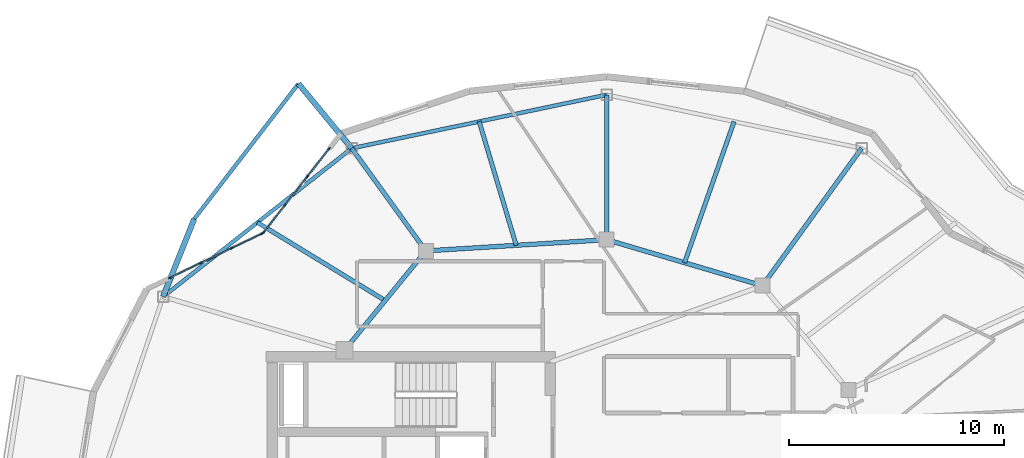
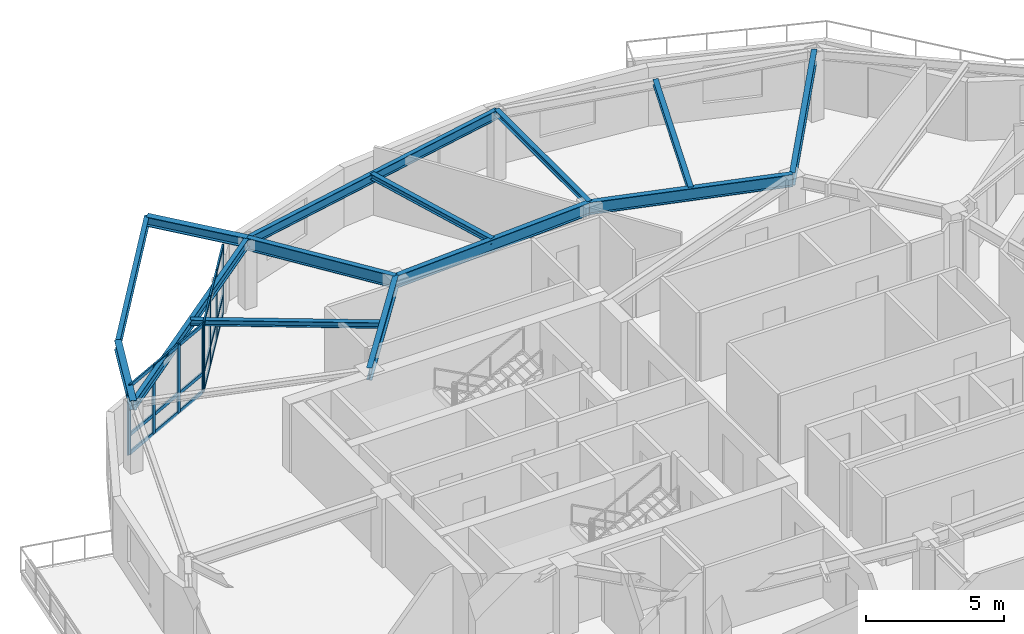
# One storey, part 5 of 16: 26 members, 14 beams, 2 elements without a shape of their own.
"""IFC4 building model written with IfcOpenShell, lengths in metres."""

from ifc_helpers import new_model, si_unit, direction, frame, origin, origin_2d, place, context, subcontext, project, spatial, rectangle, i_section, extrude, material, layer, layer_set, material_profile, profile_set, type_object, element, aggregate, save


model = new_model("IFC4")

# Units and contexts
model_context = context("Model", 3, precision=1e-05, world=origin(), true_north=direction((0.0, 1.0)))
body_context = subcontext(model_context, "Body", "Model", "MODEL_VIEW")
ifc_project = project(units=[si_unit("LENGTHUNIT", "METRE"), si_unit("AREAUNIT", "SQUARE_METRE"), si_unit("VOLUMEUNIT", "CUBIC_METRE"), si_unit("PLANEANGLEUNIT", "RADIAN"), si_unit("MASSUNIT", "GRAM", prefix="KILO")], contexts=[model_context])

# Site, building, storey
site_placement = place(None, origin())
site = spatial("IfcSite", under=ifc_project, at=site_placement, CompositionType="ELEMENT")
building_placement = place(site_placement, origin())
building = spatial("IfcBuilding", under=site, at=building_placement, Name="Kolvaren Gate Tower and Convention Centre", CompositionType="ELEMENT")
storey_placement = place(building_placement, frame((0.0, 0.0, 219.5)))
storey = spatial("IfcBuildingStorey", under=building, at=storey_placement, Name="L58", CompositionType="ELEMENT", Elevation=219.5)

# Curtain wall, members
ifc_material_1 = material(Name="Anodized Architectural Aluminium Alloy 6063-T6", Category="aluminium")
ifc_layer = layer(ifc_material_1, 0.159912109375)
ifc_layer_set = layer_set([ifc_layer], Name="Anodized Architectural Aluminium Alloy 6063-T6")
curtain_wall_type = type_object("IfcCurtainWallType", Name="CW-RES-UNIT", PredefinedType="NOTDEFINED", material=ifc_layer_set)
curtain_wall_1_placement = place(storey_placement, origin())
curtain_wall_1 = element("IfcCurtainWall", 1, at=curtain_wall_1_placement, inside=storey, type_object=curtain_wall_type, Name="Tower L58 Unitised Curtain Wall CW-RES-UNIT Bay 08", PredefinedType="NOTDEFINED")
ifc_material_profile_1 = material_profile(ifc_material_1, rectangle(XDim=0.06494140625, YDim=0.159912109375, at=origin_2d()), Name="CW-MEM-MUL-160")
ifc_profile_set_1 = profile_set([ifc_material_profile_1], Name="Anodized Architectural Aluminium Alloy 6063-T6")
member_type_1 = type_object("IfcMemberType", Name="CW-MEM-MUL-160", PredefinedType="MULLION", material=ifc_profile_set_1)
member_1_placement = place(storey_placement, frame((14.137451171875, 39.532958984375, 0.0), z_axis=(0.0, 0.0, 1.0), x_axis=(-0.787409932974, 0.616429718179, 0.0)))
member_1 = element("IfcMember", 2, at=member_1_placement, type_object=member_type_1, Name="CW-04 mullion 1", PredefinedType="MULLION", context=body_context, shape_type="SweptSolid", body=[
    extrude(rectangle(XDim=0.06494140625, YDim=0.159912109375, at=origin_2d()), origin(), (0.0, 0.0, 1.0), 3.030029296875),
])
member_2_placement = place(storey_placement, frame((15.1484375, 40.82421875, 0.0), z_axis=(0.0, 0.0, 1.0), x_axis=(-0.787409932974, 0.616429718179, 0.0)))
member_2 = element("IfcMember", 3, at=member_2_placement, type_object=member_type_1, Name="CW-04 mullion 2", PredefinedType="MULLION", context=body_context, shape_type="SweptSolid", body=[
    extrude(rectangle(XDim=0.06494140625, YDim=0.159912109375, at=origin_2d()), origin(), (0.0, 0.0, 1.0), 3.030029296875),
])
member_3_placement = place(storey_placement, frame((16.17919921875, 42.140869140625, 0.0), z_axis=(0.0, 0.0, 1.0), x_axis=(-0.787409932974, 0.616429718179, 0.0)))
member_3 = element("IfcMember", 4, at=member_3_placement, type_object=member_type_1, Name="CW-04 mullion 3", PredefinedType="MULLION", context=body_context, shape_type="SweptSolid", body=[
    extrude(rectangle(XDim=0.06494140625, YDim=0.159912109375, at=origin_2d()), origin(), (0.0, 0.0, 1.0), 3.030029296875),
])
member_4_placement = place(storey_placement, frame((17.190185546875, 43.43212890625, 0.0), z_axis=(0.0, 0.0, 1.0), x_axis=(-0.787409932974, 0.616429718179, 0.0)))
member_4 = element("IfcMember", 5, at=member_4_placement, type_object=member_type_1, Name="CW-04 mullion 4", PredefinedType="MULLION", context=body_context, shape_type="SweptSolid", body=[
    extrude(rectangle(XDim=0.06494140625, YDim=0.159912109375, at=origin_2d()), origin(), (0.0, 0.0, 1.0), 3.030029296875),
])

curtain_wall_2_placement = place(storey_placement, origin())
curtain_wall_2 = element("IfcCurtainWall", 6, at=curtain_wall_2_placement, inside=storey, type_object=curtain_wall_type, Name="Tower L58 Unitised Curtain Wall CW-RES-UNIT Bay 09", PredefinedType="NOTDEFINED")
member_5_placement = place(storey_placement, frame((9.78466796875, 37.425537109375, 0.0), z_axis=(0.0, 0.0, 1.0), x_axis=(-0.433065576861, 0.901362416644, 0.0)))
member_5 = element("IfcMember", 7, at=member_5_placement, type_object=member_type_1, Name="CW-04 mullion 1", PredefinedType="MULLION", context=body_context, shape_type="SweptSolid", body=[
    extrude(rectangle(XDim=0.06494140625, YDim=0.159912109375, at=origin_2d()), origin(), (0.0, 0.0, 1.0), 3.030029296875),
])
member_6_placement = place(storey_placement, frame((11.20947265625, 38.110107421875, 0.0), z_axis=(0.0, 0.0, 1.0), x_axis=(-0.433065576861, 0.901362416644, 0.0)))
member_6 = element("IfcMember", 8, at=member_6_placement, type_object=member_type_1, Name="CW-04 mullion 2", PredefinedType="MULLION", context=body_context, shape_type="SweptSolid", body=[
    extrude(rectangle(XDim=0.06494140625, YDim=0.159912109375, at=origin_2d()), origin(), (0.0, 0.0, 1.0), 3.030029296875),
])
member_7_placement = place(storey_placement, frame((12.66357421875, 38.80859375, 0.0), z_axis=(0.0, 0.0, 1.0), x_axis=(-0.433065576861, 0.901362416644, 0.0)))
member_7 = element("IfcMember", 9, at=member_7_placement, type_object=member_type_1, Name="CW-04 mullion 3", PredefinedType="MULLION", context=body_context, shape_type="SweptSolid", body=[
    extrude(rectangle(XDim=0.06494140625, YDim=0.159912109375, at=origin_2d()), origin(), (0.0, 0.0, 1.0), 3.030029296875),
])
member_8_placement = place(storey_placement, frame((14.088134765625, 39.4931640625, 0.0), z_axis=(0.0, 0.0, 1.0), x_axis=(-0.433065576861, 0.901362416644, 0.0)))
member_8 = element("IfcMember", 10, at=member_8_placement, type_object=member_type_1, Name="CW-04 mullion 4", PredefinedType="MULLION", context=body_context, shape_type="SweptSolid", body=[
    extrude(rectangle(XDim=0.06494140625, YDim=0.159912109375, at=origin_2d()), origin(), (0.0, 0.0, 1.0), 3.030029296875),
])

# Member
ifc_material_profile_2 = material_profile(ifc_material_1, rectangle(XDim=0.06494140625, YDim=0.159912109375, at=origin_2d()), Name="CW-MEM-TRN-160")
ifc_profile_set_2 = profile_set([ifc_material_profile_2], Name="Anodized Architectural Aluminium Alloy 6063-T6")
member_type_2 = type_object("IfcMemberType", Name="CW-MEM-TRN-160", PredefinedType="USERDEFINED", material=ifc_profile_set_2)
member_9_placement = place(storey_placement, frame((14.157470703125, 39.55859375, 0.032470703125), z_axis=(0.616513055725, 0.787344684443, 0.0), x_axis=(-0.787344684443, 0.616513055725, 0.0)))
member_9 = element("IfcMember", 11, at=member_9_placement, type_object=member_type_2, Name="CW-04 transom 1.1", ObjectType="TRANSOM", PredefinedType="USERDEFINED", context=body_context, shape_type="SweptSolid", body=[
    extrude(rectangle(XDim=0.06494140625, YDim=0.159912109375, at=origin_2d()), origin(), (0.0, 0.0, 1.0), 1.574951171875),
])

member_10_placement = place(storey_placement, frame((14.157470703125, 39.55859375, 0.85009765625), z_axis=(0.616513055725, 0.787344684443, 0.0), x_axis=(-0.787344684443, 0.616513055725, 0.0)))
member_10 = element("IfcMember", 12, at=member_10_placement, type_object=member_type_2, Name="CW-04 transom 1.2", ObjectType="TRANSOM", PredefinedType="USERDEFINED", context=body_context, shape_type="SweptSolid", body=[
    extrude(rectangle(XDim=0.06494140625, YDim=0.159912109375, at=origin_2d()), origin(), (0.0, 0.0, 1.0), 1.574951171875),
])

member_11_placement = place(storey_placement, frame((14.157470703125, 39.55859375, 2.99755859375), z_axis=(0.616513055725, 0.787344684443, 0.0), x_axis=(-0.787344684443, 0.616513055725, 0.0)))
member_11 = element("IfcMember", 13, at=member_11_placement, type_object=member_type_2, Name="CW-04 transom 1.3", ObjectType="TRANSOM", PredefinedType="USERDEFINED", context=body_context, shape_type="SweptSolid", body=[
    extrude(rectangle(XDim=0.06494140625, YDim=0.159912109375, at=origin_2d()), origin(), (0.0, 0.0, 1.0), 1.574951171875),
])

member_12_placement = place(storey_placement, frame((15.16845703125, 40.849609375, 0.032470703125), z_axis=(0.616398363045, 0.787434478567, 0.0), x_axis=(-0.787434478567, 0.616398363045, 0.0)))
member_12 = element("IfcMember", 14, at=member_12_placement, type_object=member_type_2, Name="CW-04 transom 2.1", ObjectType="TRANSOM", PredefinedType="USERDEFINED", context=body_context, shape_type="SweptSolid", body=[
    extrude(rectangle(XDim=0.06494140625, YDim=0.159912109375, at=origin_2d()), origin(), (0.0, 0.0, 1.0), 1.607177734375),
])

member_13_placement = place(storey_placement, frame((15.16845703125, 40.849609375, 0.85009765625), z_axis=(0.616398363045, 0.787434478567, 0.0), x_axis=(-0.787434478567, 0.616398363045, 0.0)))
member_13 = element("IfcMember", 15, at=member_13_placement, type_object=member_type_2, Name="CW-04 transom 2.2", ObjectType="TRANSOM", PredefinedType="USERDEFINED", context=body_context, shape_type="SweptSolid", body=[
    extrude(rectangle(XDim=0.06494140625, YDim=0.159912109375, at=origin_2d()), origin(), (0.0, 0.0, 1.0), 1.607177734375),
])

member_14_placement = place(storey_placement, frame((15.16845703125, 40.849609375, 2.99755859375), z_axis=(0.616398363045, 0.787434478567, 0.0), x_axis=(-0.787434478567, 0.616398363045, 0.0)))
member_14 = element("IfcMember", 16, at=member_14_placement, type_object=member_type_2, Name="CW-04 transom 2.3", ObjectType="TRANSOM", PredefinedType="USERDEFINED", context=body_context, shape_type="SweptSolid", body=[
    extrude(rectangle(XDim=0.06494140625, YDim=0.159912109375, at=origin_2d()), origin(), (0.0, 0.0, 1.0), 1.607177734375),
])

member_15_placement = place(storey_placement, frame((16.19921875, 42.16650390625, 0.032470703125), z_axis=(0.616416943475, 0.787419933579, 0.0), x_axis=(-0.787419933579, 0.616416943475, 0.0)))
member_15 = element("IfcMember", 17, at=member_15_placement, type_object=member_type_2, Name="CW-04 transom 3.1", ObjectType="TRANSOM", PredefinedType="USERDEFINED", context=body_context, shape_type="SweptSolid", body=[
    extrude(rectangle(XDim=0.06494140625, YDim=0.159912109375, at=origin_2d()), origin(), (0.0, 0.0, 1.0), 1.57470703125),
])

member_16_placement = place(storey_placement, frame((16.19921875, 42.16650390625, 0.85009765625), z_axis=(0.616416943475, 0.787419933579, 0.0), x_axis=(-0.787419933579, 0.616416943475, 0.0)))
member_16 = element("IfcMember", 18, at=member_16_placement, type_object=member_type_2, Name="CW-04 transom 3.2", ObjectType="TRANSOM", PredefinedType="USERDEFINED", context=body_context, shape_type="SweptSolid", body=[
    extrude(rectangle(XDim=0.06494140625, YDim=0.159912109375, at=origin_2d()), origin(), (0.0, 0.0, 1.0), 1.57470703125),
])

member_17_placement = place(storey_placement, frame((16.19921875, 42.16650390625, 2.99755859375), z_axis=(0.616416943475, 0.787419933579, 0.0), x_axis=(-0.787419933579, 0.616416943475, 0.0)))
member_17 = element("IfcMember", 19, at=member_17_placement, type_object=member_type_2, Name="CW-04 transom 3.3", ObjectType="TRANSOM", PredefinedType="USERDEFINED", context=body_context, shape_type="SweptSolid", body=[
    extrude(rectangle(XDim=0.06494140625, YDim=0.159912109375, at=origin_2d()), origin(), (0.0, 0.0, 1.0), 1.57470703125),
])

aggregate(curtain_wall_1, [member_1, member_2, member_3, member_4, member_9, member_10, member_11, member_12, member_13, member_14, member_15, member_16, member_17])

member_18_placement = place(storey_placement, frame((9.81396484375, 37.439697265625, 0.032470703125), z_axis=(0.901402369702, 0.432982410607, 0.0), x_axis=(-0.432982410607, 0.901402369702, 0.0)))
member_18 = element("IfcMember", 20, at=member_18_placement, type_object=member_type_2, Name="CW-04 transom 1.1", ObjectType="TRANSOM", PredefinedType="USERDEFINED", context=body_context, shape_type="SweptSolid", body=[
    extrude(rectangle(XDim=0.06494140625, YDim=0.159912109375, at=origin_2d()), origin(), (0.0, 0.0, 1.0), 1.515625),
])

member_19_placement = place(storey_placement, frame((9.81396484375, 37.439697265625, 0.85009765625), z_axis=(0.901402369702, 0.432982410607, 0.0), x_axis=(-0.432982410607, 0.901402369702, 0.0)))
member_19 = element("IfcMember", 21, at=member_19_placement, type_object=member_type_2, Name="CW-04 transom 1.2", ObjectType="TRANSOM", PredefinedType="USERDEFINED", context=body_context, shape_type="SweptSolid", body=[
    extrude(rectangle(XDim=0.06494140625, YDim=0.159912109375, at=origin_2d()), origin(), (0.0, 0.0, 1.0), 1.515625),
])

member_20_placement = place(storey_placement, frame((9.81396484375, 37.439697265625, 2.99755859375), z_axis=(0.901402369702, 0.432982410607, 0.0), x_axis=(-0.432982410607, 0.901402369702, 0.0)))
member_20 = element("IfcMember", 22, at=member_20_placement, type_object=member_type_2, Name="CW-04 transom 1.3", ObjectType="TRANSOM", PredefinedType="USERDEFINED", context=body_context, shape_type="SweptSolid", body=[
    extrude(rectangle(XDim=0.06494140625, YDim=0.159912109375, at=origin_2d()), origin(), (0.0, 0.0, 1.0), 1.515625),
])

member_21_placement = place(storey_placement, frame((11.23876953125, 38.124267578125, 0.032470703125), z_axis=(0.901380283866, 0.433028386896, 0.0), x_axis=(-0.433028386896, 0.901380283866, 0.0)))
member_21 = element("IfcMember", 23, at=member_21_placement, type_object=member_type_2, Name="CW-04 transom 2.1", ObjectType="TRANSOM", PredefinedType="USERDEFINED", context=body_context, shape_type="SweptSolid", body=[
    extrude(rectangle(XDim=0.06494140625, YDim=0.159912109375, at=origin_2d()), origin(), (0.0, 0.0, 1.0), 1.548095703125),
])

member_22_placement = place(storey_placement, frame((11.23876953125, 38.124267578125, 0.85009765625), z_axis=(0.901380283866, 0.433028386896, 0.0), x_axis=(-0.433028386896, 0.901380283866, 0.0)))
member_22 = element("IfcMember", 24, at=member_22_placement, type_object=member_type_2, Name="CW-04 transom 2.2", ObjectType="TRANSOM", PredefinedType="USERDEFINED", context=body_context, shape_type="SweptSolid", body=[
    extrude(rectangle(XDim=0.06494140625, YDim=0.159912109375, at=origin_2d()), origin(), (0.0, 0.0, 1.0), 1.548095703125),
])

member_23_placement = place(storey_placement, frame((11.23876953125, 38.124267578125, 2.99755859375), z_axis=(0.901380283866, 0.433028386896, 0.0), x_axis=(-0.433028386896, 0.901380283866, 0.0)))
member_23 = element("IfcMember", 25, at=member_23_placement, type_object=member_type_2, Name="CW-04 transom 2.3", ObjectType="TRANSOM", PredefinedType="USERDEFINED", context=body_context, shape_type="SweptSolid", body=[
    extrude(rectangle(XDim=0.06494140625, YDim=0.159912109375, at=origin_2d()), origin(), (0.0, 0.0, 1.0), 1.548095703125),
])

member_24_placement = place(storey_placement, frame((12.69287109375, 38.82275390625, 0.032470703125), z_axis=(0.901309275583, 0.433176164797, 0.0), x_axis=(-0.433176164797, 0.901309275583, 0.0)))
member_24 = element("IfcMember", 26, at=member_24_placement, type_object=member_type_2, Name="CW-04 transom 3.1", ObjectType="TRANSOM", PredefinedType="USERDEFINED", context=body_context, shape_type="SweptSolid", body=[
    extrude(rectangle(XDim=0.06494140625, YDim=0.159912109375, at=origin_2d()), origin(), (0.0, 0.0, 1.0), 1.515625),
])

member_25_placement = place(storey_placement, frame((12.69287109375, 38.82275390625, 0.85009765625), z_axis=(0.901309275583, 0.433176164797, 0.0), x_axis=(-0.433176164797, 0.901309275583, 0.0)))
member_25 = element("IfcMember", 27, at=member_25_placement, type_object=member_type_2, Name="CW-04 transom 3.2", ObjectType="TRANSOM", PredefinedType="USERDEFINED", context=body_context, shape_type="SweptSolid", body=[
    extrude(rectangle(XDim=0.06494140625, YDim=0.159912109375, at=origin_2d()), origin(), (0.0, 0.0, 1.0), 1.515625),
])

member_26_placement = place(storey_placement, frame((12.69287109375, 38.82275390625, 2.99755859375), z_axis=(0.901309275583, 0.433176164797, 0.0), x_axis=(-0.433176164797, 0.901309275583, 0.0)))
member_26 = element("IfcMember", 28, at=member_26_placement, type_object=member_type_2, Name="CW-04 transom 3.3", ObjectType="TRANSOM", PredefinedType="USERDEFINED", context=body_context, shape_type="SweptSolid", body=[
    extrude(rectangle(XDim=0.06494140625, YDim=0.159912109375, at=origin_2d()), origin(), (0.0, 0.0, 1.0), 1.515625),
])

aggregate(curtain_wall_2, [member_5, member_6, member_7, member_8, member_18, member_19, member_20, member_21, member_22, member_23, member_24, member_25, member_26])

# Beams
ifc_material_2 = material(Name="Structural steel ASTM A992 Grade 345 MPa", Category="steel")
ifc_material_profile_3 = material_profile(ifc_material_2, i_section(OverallWidth=0.260009765625, OverallDepth=0.419921875, WebThickness=0.013427734375, FlangeThickness=0.0224609375, at=origin_2d()), Name="W410X132")
ifc_profile_set_3 = profile_set([ifc_material_profile_3], Name="Structural steel ASTM A992 Grade 345 MPa")
beam_type_1 = type_object("IfcBeamType", Name="STR-BM-W410X132", PredefinedType="BEAM", material=ifc_profile_set_3)
for number, where, z_axis, x_axis, name in (
    (29, (18.247314453125, 43.4580078125, 2.820556640625), (-0.636086782115, 0.771617525474, 0.0), (-0.771617525474, -0.636086782115, 0.0), "Tower L59 Planted Balcony Outrigger Cantilever BC-1A"),
    (30, (9.462646484375, 36.543701171875, 2.820556640625), (0.370926499602, 0.92866222702, 0.0), (-0.92866222702, 0.370926499602, 0.0), "Tower L59 Planted Balcony Outrigger Cantilever BC-1B"),
):
    element("IfcBeam", number, at=place(storey_placement, frame(where, z_axis=z_axis, x_axis=x_axis)), inside=storey, type_object=beam_type_1, Name=name, PredefinedType="BEAM", context=body_context, shape_type="SweptSolid", body=[
        extrude(i_section(OverallWidth=0.260009765625, OverallDepth=0.419921875, WebThickness=0.013427734375, FlangeThickness=0.0224609375, at=origin_2d()), origin(), (0.0, 0.0, 1.0), 3.89990234375),
    ])
ifc_material_profile_4 = material_profile(ifc_material_2, i_section(OverallWidth=0.2119140625, OverallDepth=0.5439453125, WebThickness=0.01318359375, FlangeThickness=0.021240234375, at=origin_2d()), Name="W530X123")
ifc_profile_set_4 = profile_set([ifc_material_profile_4], Name="Structural steel ASTM A992 Grade 345 MPa")
beam_type_2 = type_object("IfcBeamType", Name="STR-BM-W530X123", PredefinedType="BEAM", material=ifc_profile_set_4)
beam_1_placement = place(storey_placement, frame((37.381591796875, 37.054931640625, 2.758056640625), z_axis=(-0.958980837827, 0.283470902706, 0.0), x_axis=(-0.283470902706, -0.958980837827, 0.0)))
element("IfcBeam", 31, at=beam_1_placement, inside=storey, type_object=beam_type_2, Name="Tower L58 Primary Ring Girder G-03", PredefinedType="BEAM", context=body_context, shape_type="SweptSolid", body=[
    extrude(i_section(OverallWidth=0.2119140625, OverallDepth=0.5439453125, WebThickness=0.01318359375, FlangeThickness=0.021240234375, at=origin_2d()), origin(), (0.0, 0.0, 1.0), 7.56689453125),
])
beam_2_placement = place(storey_placement, frame((30.125, 39.199951171875, 2.758056640625), z_axis=(-0.998078258568, -0.06196603726, 0.0), x_axis=(0.06196603726, -0.998078258568, 0.0)))
element("IfcBeam", 32, at=beam_2_placement, inside=storey, type_object=beam_type_2, Name="Tower L58 Primary Ring Girder G-04", PredefinedType="BEAM", context=body_context, shape_type="SweptSolid", body=[
    extrude(i_section(OverallWidth=0.2119140625, OverallDepth=0.5439453125, WebThickness=0.01318359375, FlangeThickness=0.021240234375, at=origin_2d()), origin(), (0.0, 0.0, 1.0), 8.443115234375),
])
beam_3_placement = place(storey_placement, frame((21.697998046875, 38.6767578125, 2.758056640625), z_axis=(-0.633082074904, -0.774084676528, 0.0), x_axis=(0.774084676528, -0.633082074904, 0.0)))
element("IfcBeam", 33, at=beam_3_placement, inside=storey, type_object=beam_type_2, Name="Tower L58 Primary Ring Girder G-05", PredefinedType="BEAM", context=body_context, shape_type="SweptSolid", body=[
    extrude(i_section(OverallWidth=0.2119140625, OverallDepth=0.5439453125, WebThickness=0.01318359375, FlangeThickness=0.021240234375, at=origin_2d()), origin(), (0.0, 0.0, 1.0), 5.97705078125),
])
beam_4_placement = place(storey_placement, frame((37.381591796875, 37.054931640625, 2.758056640625), z_axis=(0.585211694794, 0.810880553643, 0.0), x_axis=(-0.810880553643, 0.585211694794, 0.0)))
element("IfcBeam", 34, at=beam_4_placement, inside=storey, type_object=beam_type_2, Name="Tower L58 Radial Floor Girder RB-03", PredefinedType="BEAM", context=body_context, shape_type="SweptSolid", body=[
    extrude(i_section(OverallWidth=0.2119140625, OverallDepth=0.5439453125, WebThickness=0.01318359375, FlangeThickness=0.021240234375, at=origin_2d()), origin(), (0.0, 0.0, 1.0), 7.896484375),
])
beam_5_placement = place(storey_placement, frame((21.697998046875, 38.6767578125, 2.758056640625), z_axis=(-0.585218406802, 0.810875709552, 0.0), x_axis=(-0.810875709552, -0.585218406802, 0.0)))
element("IfcBeam", 35, at=beam_5_placement, inside=storey, type_object=beam_type_2, Name="Tower L58 Radial Floor Girder RB-05", PredefinedType="BEAM", context=body_context, shape_type="SweptSolid", body=[
    extrude(i_section(OverallWidth=0.2119140625, OverallDepth=0.5439453125, WebThickness=0.01318359375, FlangeThickness=0.021240234375, at=origin_2d()), origin(), (0.0, 0.0, 1.0), 5.896484375),
])
ifc_material_profile_5 = material_profile(ifc_material_2, i_section(OverallWidth=0.202880859375, OverallDepth=0.251953125, WebThickness=0.008056640625, FlangeThickness=0.013427734375, at=origin_2d()), Name="W250X58")
ifc_profile_set_5 = profile_set([ifc_material_profile_5], Name="Structural steel ASTM A992 Grade 345 MPa")
beam_type_3 = type_object("IfcBeamType", Name="STR-JS-W250X58", PredefinedType="JOIST", material=ifc_profile_set_5)
beam_6_placement = place(storey_placement, frame((30.125, 39.199951171875, 2.904052734375), z_axis=(0.0, 1.0, 0.0), x_axis=(-1.0, 0.0, 0.0)))
element("IfcBeam", 36, at=beam_6_placement, inside=storey, type_object=beam_type_3, Name="Tower L58 Radial Floor Girder RB-04", PredefinedType="JOIST", context=body_context, shape_type="SweptSolid", body=[
    extrude(i_section(OverallWidth=0.202880859375, OverallDepth=0.251953125, WebThickness=0.008056640625, FlangeThickness=0.013427734375, at=origin_2d()), origin(), (0.0, 0.0, 1.0), 6.75),
])
beam_7_placement = place(storey_placement, frame((33.75341796875, 38.12744140625, 2.904052734375), z_axis=(0.331432911821, 0.943478788824, 0.0), x_axis=(-0.943478788824, 0.331432911821, 0.0)))
element("IfcBeam", 37, at=beam_7_placement, inside=storey, type_object=beam_type_3, Name="Tower L58 Secondary Composite Floor Joist J-03.1", PredefinedType="JOIST", context=body_context, shape_type="SweptSolid", body=[
    extrude(i_section(OverallWidth=0.202880859375, OverallDepth=0.251953125, WebThickness=0.008056640625, FlangeThickness=0.013427734375, at=origin_2d()), origin(), (0.0, 0.0, 1.0), 6.970703125),
])
beam_8_placement = place(storey_placement, frame((25.91162109375, 38.938232421875, 2.904052734375), z_axis=(-0.286674209033, 0.958028130002, 0.0), x_axis=(-0.958028130002, -0.286674209033, 0.0)))
element("IfcBeam", 38, at=beam_8_placement, inside=storey, type_object=beam_type_3, Name="Tower L58 Secondary Composite Floor Joist J-04.1", PredefinedType="JOIST", context=body_context, shape_type="SweptSolid", body=[
    extrude(i_section(OverallWidth=0.202880859375, OverallDepth=0.251953125, WebThickness=0.008056640625, FlangeThickness=0.013427734375, at=origin_2d()), origin(), (0.0, 0.0, 1.0), 6.0185546875),
])
beam_9_placement = place(storey_placement, frame((19.805908203125, 36.36328125, 2.904052734375), z_axis=(-0.853232509014, 0.52153071392, 0.0), x_axis=(-0.52153071392, -0.853232509014, 0.0)))
element("IfcBeam", 39, at=beam_9_placement, inside=storey, type_object=beam_type_3, Name="Tower L58 Secondary Composite Floor Joist J-05.1", PredefinedType="JOIST", context=body_context, shape_type="SweptSolid", body=[
    extrude(i_section(OverallWidth=0.202880859375, OverallDepth=0.251953125, WebThickness=0.008056640625, FlangeThickness=0.013427734375, at=origin_2d()), origin(), (0.0, 0.0, 1.0), 6.974609375),
])
ifc_material_profile_6 = material_profile(ifc_material_2, i_section(OverallWidth=0.180908203125, OverallDepth=0.4169921875, WebThickness=0.010986328125, FlangeThickness=0.018310546875, at=origin_2d()), Name="W410X85")
ifc_profile_set_6 = profile_set([ifc_material_profile_6], Name="Structural steel ASTM A992 Grade 345 MPa")
beam_type_4 = type_object("IfcBeamType", Name="STR-SP-W410X85", PredefinedType="SPANDREL", material=ifc_profile_set_6)
beam_10_placement = place(storey_placement, frame((30.125, 45.949951171875, 2.821533203125), z_axis=(-0.978692765917, -0.205330148645, 0.0), x_axis=(0.205330148645, -0.978692765917, 0.0)))
element("IfcBeam", 40, at=beam_10_placement, inside=storey, type_object=beam_type_4, Name="Tower L58 Perimeter Spandrel Beam SP-04", PredefinedType="SPANDREL", context=body_context, shape_type="SweptSolid", body=[
    extrude(i_section(OverallWidth=0.180908203125, OverallDepth=0.4169921875, WebThickness=0.010986328125, FlangeThickness=0.018310546875, at=origin_2d()), origin(), (0.0, 0.0, 1.0), 12.13623046875),
])
beam_11_placement = place(storey_placement, frame((18.247314453125, 43.4580078125, 2.821533203125), z_axis=(-0.78579365551, -0.618488747643, 0.0), x_axis=(0.618488747643, -0.78579365551, 0.0)))
element("IfcBeam", 41, at=beam_11_placement, inside=storey, type_object=beam_type_4, Name="Tower L58 Perimeter Spandrel Beam SP-05", PredefinedType="SPANDREL", context=body_context, shape_type="SweptSolid", body=[
    extrude(i_section(OverallWidth=0.180908203125, OverallDepth=0.4169921875, WebThickness=0.010986328125, FlangeThickness=0.018310546875, at=origin_2d()), origin(), (0.0, 0.0, 1.0), 11.179443359375),
])
beam_12_placement = place(storey_placement, frame((15.7666015625, 46.46728515625, 2.822021484375), z_axis=(-0.61047858823, -0.792032760252, 0.0), x_axis=(0.792032760252, -0.61047858823, 0.0)))
element("IfcBeam", 42, at=beam_12_placement, inside=storey, type_object=beam_type_4, Name="Tower L59 Planted Balcony Header Tie Beam BT-1", PredefinedType="SPANDREL", context=body_context, shape_type="SweptSolid", body=[
    extrude(i_section(OverallWidth=0.180908203125, OverallDepth=0.4169921875, WebThickness=0.010986328125, FlangeThickness=0.018310546875, at=origin_2d()), origin(), (0.0, 0.0, 1.0), 7.956787109375),
])

save(model, "model.ifc")
